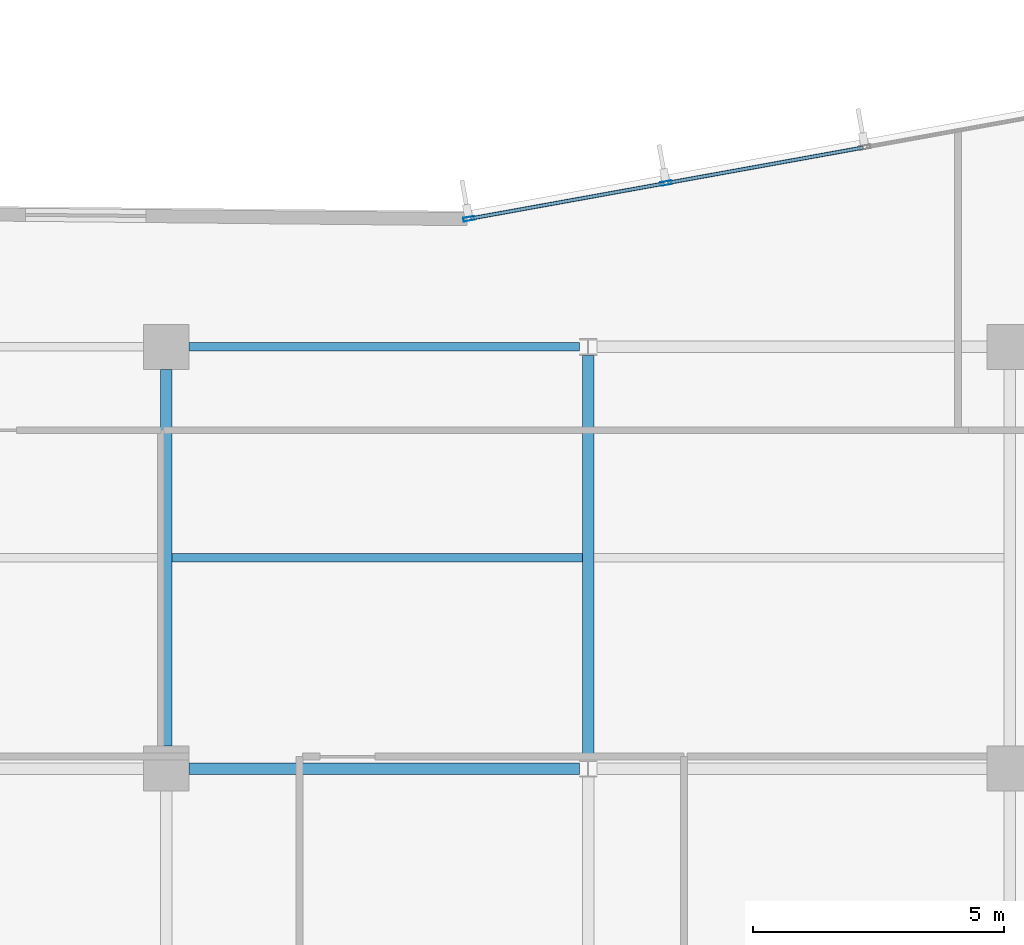
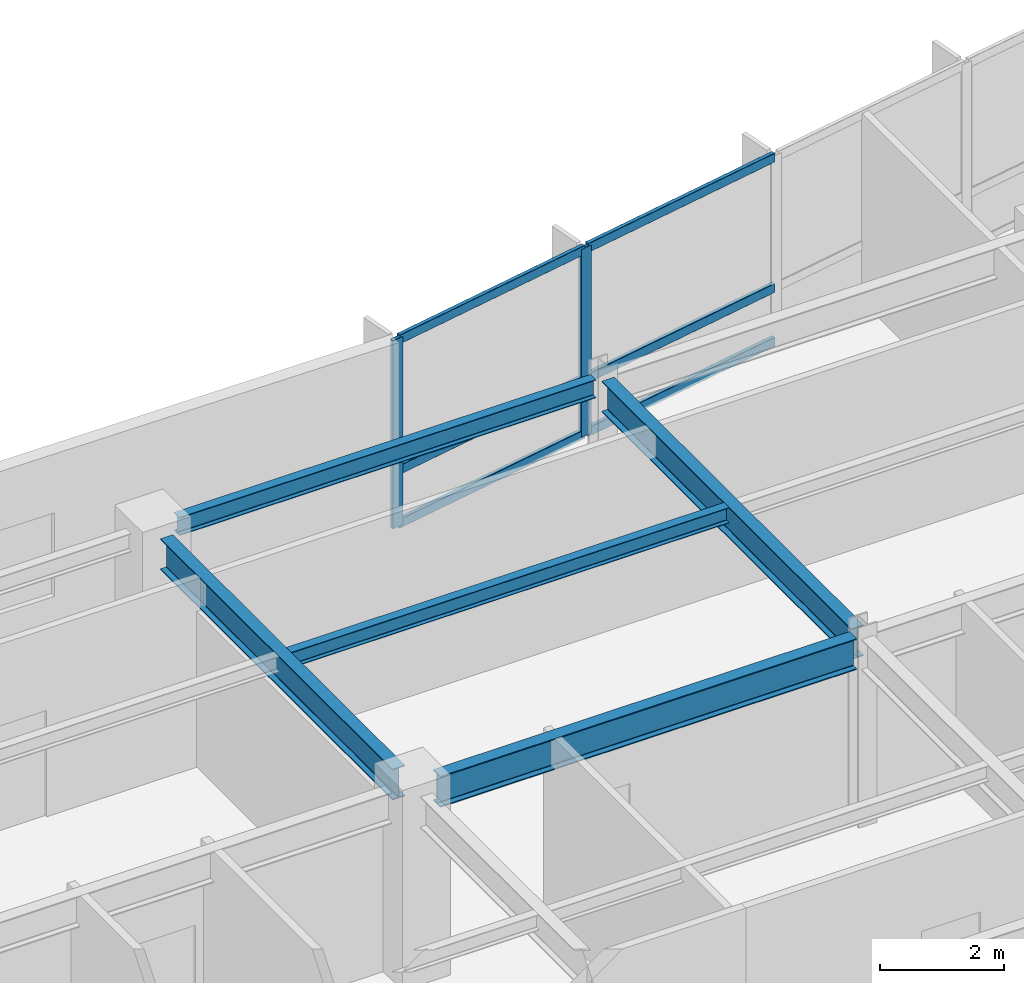
# One storey, part 6 of 20: 8 members, 5 beams, 1 element without a shape of its own.
"""IFC4 building model written with IfcOpenShell, lengths in metres."""

from ifc_helpers import new_model, si_unit, direction, frame, origin, origin_2d, place, context, subcontext, project, spatial, hollow_rectangle, i_section, extrude, material, layer, layer_set, material_profile, profile_set, type_object, element, aggregate, save


model = new_model("IFC4")

# Units and contexts
model_context = context("Model", 3, precision=1e-05, world=origin(), true_north=direction((0.0, 1.0)))
body_context = subcontext(model_context, "Body", "Model", "MODEL_VIEW")
ifc_project = project(units=[si_unit("LENGTHUNIT", "METRE"), si_unit("AREAUNIT", "SQUARE_METRE"), si_unit("VOLUMEUNIT", "CUBIC_METRE"), si_unit("PLANEANGLEUNIT", "RADIAN"), si_unit("MASSUNIT", "GRAM", prefix="KILO")], contexts=[model_context])

# Site, building, storey
site_placement = place(None, origin())
site = spatial("IfcSite", under=ifc_project, at=site_placement, CompositionType="ELEMENT")
building_placement = place(site_placement, origin())
building = spatial("IfcBuilding", under=site, at=building_placement, Name="Varnakote Quay Hospital", CompositionType="ELEMENT")
storey_placement = place(building_placement, frame((0.0, 0.0, 46.199951171875)))
storey = spatial("IfcBuildingStorey", under=building, at=storey_placement, Name="L11", CompositionType="ELEMENT", Elevation=46.199951171875)

# Beams
ifc_material_1 = material(Name="Structural steel AS/NZS 3679.1 Grade 350 L0 (fy 340 MPa)", Category="steel")
ifc_material_profile_1 = material_profile(ifc_material_1, i_section(OverallWidth=0.22900390625, OverallDepth=0.612060546875, WebThickness=0.011962890625, FlangeThickness=0.01953125, FilletRadius=0.013916015625, at=origin_2d()), Name="610UB125")
ifc_profile_set_1 = profile_set([ifc_material_profile_1], Name="Structural steel AS/NZS 3679.1 Grade 350 L0 (fy 340 MPa)")
beam_type_1 = type_object("IfcBeamType", Name="BM-STL-610UB125", PredefinedType="BEAM", material=ifc_profile_set_1)
beam_1_placement = place(storey_placement, frame((34.050048828125, 20.39990234375, 3.404052734375), z_axis=(1.0, 0.0, 0.0), x_axis=(0.0, 1.0, 0.0)))
element("IfcBeam", 1, at=beam_1_placement, inside=storey, type_object=beam_type_1, Name="L11 Primary Floor Beam", PredefinedType="BEAM", context=body_context, shape_type="SweptSolid", body=[
    extrude(i_section(OverallWidth=0.22900390625, OverallDepth=0.612060546875, WebThickness=0.011962890625, FlangeThickness=0.01953125, FilletRadius=0.013916015625, at=origin_2d()), origin(), (0.0, 0.0, 1.0), 7.77490234375),
])
beam_2_placement = place(storey_placement, frame((33.60009765625, 20.85009765625, 3.404052734375), z_axis=(0.0, 1.0, 0.0), x_axis=(-1.0, 0.0, 0.0)))
element("IfcBeam", 2, at=beam_2_placement, inside=storey, type_object=beam_type_1, Name="L11 Primary Tie Beam", PredefinedType="BEAM", context=body_context, shape_type="SweptSolid", body=[
    extrude(i_section(OverallWidth=0.22900390625, OverallDepth=0.612060546875, WebThickness=0.011962890625, FlangeThickness=0.01953125, FilletRadius=0.013916015625, at=origin_2d()), origin(), (0.0, 0.0, 1.0), 7.5),
])
beam_3_placement = place(storey_placement, frame((42.0, 20.570068359375, 3.404052734375), z_axis=(0.0, 1.0, 0.0), x_axis=(-1.0, 0.0, 0.0)))
element("IfcBeam", 3, at=beam_3_placement, inside=storey, type_object=beam_type_1, Name="L11 Primary Tie Beam", PredefinedType="BEAM", context=body_context, shape_type="SweptSolid", body=[
    extrude(i_section(OverallWidth=0.22900390625, OverallDepth=0.612060546875, WebThickness=0.011962890625, FlangeThickness=0.01953125, FilletRadius=0.013916015625, at=origin_2d()), origin(), (0.0, 0.0, 1.0), 8.059814453125),
])

# Curtain wall, members
ifc_material_2 = material(Name="Anodised aluminium 6063-T6 Bronze", Category="aluminium")
ifc_layer = layer(ifc_material_2, 0.18994140625)
ifc_layer_set = layer_set([ifc_layer], Name="Anodised aluminium 6063-T6 Bronze")
curtain_wall_type = type_object("IfcCurtainWallType", Name="CW-SYS-2", PredefinedType="NOTDEFINED", material=ifc_layer_set)
curtain_wall_placement = place(storey_placement, origin())
curtain_wall = element("IfcCurtainWall", 4, at=curtain_wall_placement, inside=storey, type_object=curtain_wall_type, Name="L11 Unitised Bronze Curtain Wall 2", PredefinedType="NOTDEFINED")
ifc_material_3 = material(Name="Anodised aluminium 6063-T6 Bronze", Category="aluminium")
ifc_material_profile_2 = material_profile(ifc_material_3, hollow_rectangle(XDim=0.074951171875, YDim=0.219970703125, WallThickness=0.00439453125, InnerFilletRadius=0.00439453125, OuterFilletRadius=0.009033203125, at=origin_2d()), Name="CW-MULL-220x75")
ifc_profile_set_2 = profile_set([ifc_material_profile_2], Name="Anodised aluminium 6063-T6 Bronze")
member_type_1 = type_object("IfcMemberType", Name="CW-MULL-220x75", PredefinedType="MULLION", material=ifc_profile_set_2)
member_1_placement = place(storey_placement, frame((43.55224609375, 32.06005859375, 0.0), z_axis=(0.0, 0.0, 1.0), x_axis=(0.177846199098, -0.984058295766, 0.0)))
member_1 = element("IfcMember", 5, at=member_1_placement, type_object=member_type_1, Name="-2-L11-2 mullion 4", PredefinedType="MULLION", context=body_context, shape_type="SweptSolid", body=[
    extrude(hollow_rectangle(XDim=0.074951171875, YDim=0.219970703125, WallThickness=0.00439453125, InnerFilletRadius=0.00439453125, OuterFilletRadius=0.009033203125, at=origin_2d()), origin(), (0.0, 0.0, 1.0), 3.7099609375),
])
member_2_placement = place(storey_placement, frame((39.62646484375, 31.3505859375, 0.0), z_axis=(0.0, 0.0, 1.0), x_axis=(0.177846199098, -0.984058295766, 0.0)))
member_2 = element("IfcMember", 6, at=member_2_placement, type_object=member_type_1, Name="-2-L11-2 mullion 5", PredefinedType="MULLION", context=body_context, shape_type="SweptSolid", body=[
    extrude(hollow_rectangle(XDim=0.074951171875, YDim=0.219970703125, WallThickness=0.00439453125, InnerFilletRadius=0.00439453125, OuterFilletRadius=0.009033203125, at=origin_2d()), origin(), (0.0, 0.0, 1.0), 3.7099609375),
])
ifc_material_4 = material(Name="Anodised aluminium 6063-T6 Bronze", Category="aluminium")
ifc_material_profile_3 = material_profile(ifc_material_4, hollow_rectangle(XDim=0.074951171875, YDim=0.179931640625, WallThickness=0.004150390625, InnerFilletRadius=0.004150390625, OuterFilletRadius=0.00830078125, at=origin_2d()), Name="CW-TRAN-180x75")
ifc_profile_set_3 = profile_set([ifc_material_profile_3], Name="Anodised aluminium 6063-T6 Bronze")
member_type_2 = type_object("IfcMemberType", Name="CW-TRAN-180x75", PredefinedType="USERDEFINED", material=ifc_profile_set_3)
member_3_placement = place(storey_placement, frame((47.477783203125, 32.76953125, 0.03759765625), z_axis=(-0.98405423478, -0.177868667876, 0.0), x_axis=(0.177868667876, -0.98405423478, 0.0)))
member_3 = element("IfcMember", 7, at=member_3_placement, type_object=member_type_2, Name="-2-L11-2 transom 3.1", ObjectType="TRANSOM", PredefinedType="USERDEFINED", context=body_context, shape_type="SweptSolid", body=[
    extrude(hollow_rectangle(XDim=0.074951171875, YDim=0.179931640625, WallThickness=0.004150390625, InnerFilletRadius=0.004150390625, OuterFilletRadius=0.00830078125, at=origin_2d()), origin(), (0.0, 0.0, 1.0), 3.95166015625),
])
member_4_placement = place(storey_placement, frame((47.477783203125, 32.76953125, 1.10009765625), z_axis=(-0.98405423478, -0.177868667876, 0.0), x_axis=(0.177868667876, -0.98405423478, 0.0)))
member_4 = element("IfcMember", 8, at=member_4_placement, type_object=member_type_2, Name="-2-L11-2 transom 3.2", ObjectType="TRANSOM", PredefinedType="USERDEFINED", context=body_context, shape_type="SweptSolid", body=[
    extrude(hollow_rectangle(XDim=0.074951171875, YDim=0.179931640625, WallThickness=0.004150390625, InnerFilletRadius=0.004150390625, OuterFilletRadius=0.00830078125, at=origin_2d()), origin(), (0.0, 0.0, 1.0), 3.95166015625),
])
member_5_placement = place(storey_placement, frame((47.477783203125, 32.76953125, 3.672607421875), z_axis=(-0.98405423478, -0.177868667876, 0.0), x_axis=(0.177868667876, -0.98405423478, 0.0)))
member_5 = element("IfcMember", 9, at=member_5_placement, type_object=member_type_2, Name="-2-L11-2 transom 3.3", ObjectType="TRANSOM", PredefinedType="USERDEFINED", context=body_context, shape_type="SweptSolid", body=[
    extrude(hollow_rectangle(XDim=0.074951171875, YDim=0.179931640625, WallThickness=0.004150390625, InnerFilletRadius=0.004150390625, OuterFilletRadius=0.00830078125, at=origin_2d()), origin(), (0.0, 0.0, 1.0), 3.95166015625),
])
member_6_placement = place(storey_placement, frame((43.515380859375, 32.053466796875, 0.03759765625), z_axis=(-0.984053005206, -0.177875470329, 0.0), x_axis=(0.177875470329, -0.984053005206, 0.0)))
member_6 = element("IfcMember", 10, at=member_6_placement, type_object=member_type_2, Name="-2-L11-2 transom 4.1", ObjectType="TRANSOM", PredefinedType="USERDEFINED", context=body_context, shape_type="SweptSolid", body=[
    extrude(hollow_rectangle(XDim=0.074951171875, YDim=0.179931640625, WallThickness=0.004150390625, InnerFilletRadius=0.004150390625, OuterFilletRadius=0.00830078125, at=origin_2d()), origin(), (0.0, 0.0, 1.0), 3.91455078125),
])
member_7_placement = place(storey_placement, frame((43.515380859375, 32.053466796875, 1.10009765625), z_axis=(-0.984053005206, -0.177875470329, 0.0), x_axis=(0.177875470329, -0.984053005206, 0.0)))
member_7 = element("IfcMember", 11, at=member_7_placement, type_object=member_type_2, Name="-2-L11-2 transom 4.2", ObjectType="TRANSOM", PredefinedType="USERDEFINED", context=body_context, shape_type="SweptSolid", body=[
    extrude(hollow_rectangle(XDim=0.074951171875, YDim=0.179931640625, WallThickness=0.004150390625, InnerFilletRadius=0.004150390625, OuterFilletRadius=0.00830078125, at=origin_2d()), origin(), (0.0, 0.0, 1.0), 3.91455078125),
])
member_8_placement = place(storey_placement, frame((43.515380859375, 32.053466796875, 3.672607421875), z_axis=(-0.984053005206, -0.177875470329, 0.0), x_axis=(0.177875470329, -0.984053005206, 0.0)))
member_8 = element("IfcMember", 12, at=member_8_placement, type_object=member_type_2, Name="-2-L11-2 transom 4.3", ObjectType="TRANSOM", PredefinedType="USERDEFINED", context=body_context, shape_type="SweptSolid", body=[
    extrude(hollow_rectangle(XDim=0.074951171875, YDim=0.179931640625, WallThickness=0.004150390625, InnerFilletRadius=0.004150390625, OuterFilletRadius=0.00830078125, at=origin_2d()), origin(), (0.0, 0.0, 1.0), 3.91455078125),
])
aggregate(curtain_wall, [member_1, member_2, member_3, member_4, member_5, member_6, member_7, member_8])

# Beams
ifc_material_5 = material(Name="Structural steel AS/NZS 3679.1 Grade 350 L0 (fy 340 MPa)", Category="steel")
ifc_material_profile_4 = material_profile(ifc_material_5, i_section(OverallWidth=0.166015625, OverallDepth=0.306884765625, WebThickness=0.006591796875, FlangeThickness=0.01171875, FilletRadius=0.011474609375, at=origin_2d()), Name="310UB46.2")
ifc_profile_set_4 = profile_set([ifc_material_profile_4], Name="Structural steel AS/NZS 3679.1 Grade 350 L0 (fy 340 MPa)")
beam_type_2 = type_object("IfcBeamType", Name="JST-STL-310UB46-2", PredefinedType="JOIST", material=ifc_profile_set_4)
beam_4_placement = place(storey_placement, frame((33.714599609375, 24.60009765625, 3.556640625), z_axis=(1.0, 0.0, 0.0), x_axis=(0.0, 1.0, 0.0)))
element("IfcBeam", 13, at=beam_4_placement, inside=storey, type_object=beam_type_2, Name="L11 Composite Floor Joist", PredefinedType="JOIST", context=body_context, shape_type="SweptSolid", body=[
    extrude(i_section(OverallWidth=0.166015625, OverallDepth=0.306884765625, WebThickness=0.006591796875, FlangeThickness=0.01171875, FilletRadius=0.011474609375, at=origin_2d()), origin(), (0.0, 0.0, 1.0), 8.1708984375),
])
ifc_material_6 = material(Name="Structural steel AS/NZS 3679.1 Grade 350 L0 (fy 340 MPa)", Category="steel")
ifc_material_profile_5 = material_profile(ifc_material_6, i_section(OverallWidth=0.172119140625, OverallDepth=0.35888671875, WebThickness=0.008056640625, FlangeThickness=0.012939453125, FilletRadius=0.011474609375, at=origin_2d()), Name="360UB56.7")
ifc_profile_set_5 = profile_set([ifc_material_profile_5], Name="Structural steel AS/NZS 3679.1 Grade 350 L0 (fy 340 MPa)")
beam_type_3 = type_object("IfcBeamType", Name="SPN-STL-360UB56-7", PredefinedType="SPANDREL", material=ifc_profile_set_5)
beam_5_placement = place(storey_placement, frame((34.050048828125, 28.800048828125, 3.530517578125), z_axis=(1.0, 0.0, 0.0), x_axis=(0.0, 1.0, 0.0)))
element("IfcBeam", 14, at=beam_5_placement, inside=storey, type_object=beam_type_3, Name="L11 Perimeter Spandrel Beam", PredefinedType="SPANDREL", context=body_context, shape_type="SweptSolid", body=[
    extrude(i_section(OverallWidth=0.172119140625, OverallDepth=0.35888671875, WebThickness=0.008056640625, FlangeThickness=0.012939453125, FilletRadius=0.011474609375, at=origin_2d()), origin(), (0.0, 0.0, 1.0), 7.77490234375),
])

save(model, "model.ifc")
